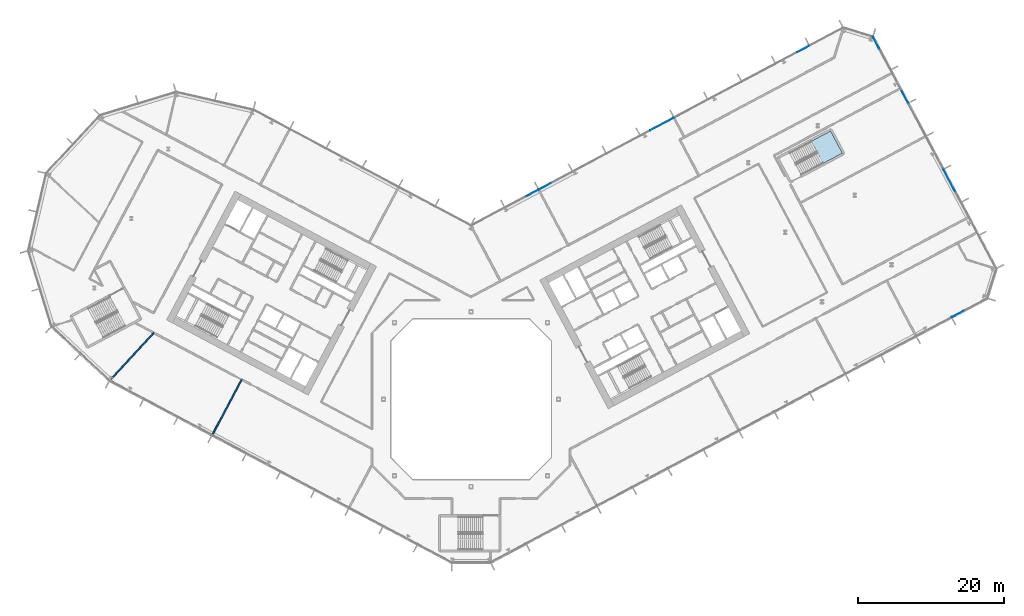
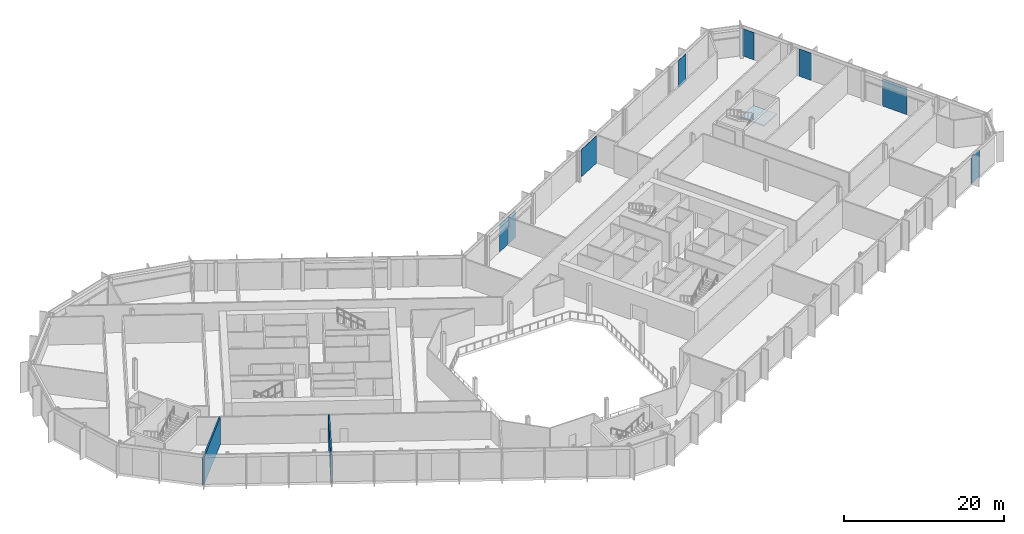
# One storey, part 12 of 32: 8 plates, 2 walls, 1 slab, 4 elements without a shape of their own.
"""IFC4 building model written with IfcOpenShell, lengths in metres."""

import ifcopenshell
import ifcopenshell.guid

model = None  # the IFC model being written
_history = None  # IfcOwnerHistory: only IFC2X3 demands one
_inside = {}  # id of a spatial element -> (the spatial element, [elements in it])
_under = {}  # id of a project, library or spatial element -> (it, [spatial elements below it])
_declared = {}  # id of a project -> (the project, [libraries it declares])
_typed = {}  # id of a type object -> (the type object, [elements of that type])
_made_of = {}  # id of a material, layer set ... -> (it, [elements and type objects made of it])


def new_model(schema):
    """Start an empty IFC model of exactly this schema.

    Asked for "IFC4X3", IfcOpenShell would pick the latest addendum, in which some entities
    have other attributes; the version numbers below select the first issue.
    IFC2X3 requires an IfcOwnerHistory on every rooted entity: one is made here for all.
    """
    global model, _history
    if schema == "IFC4X3":
        model = ifcopenshell.file(schema_version=(4, 3, 0, 0))
    else:
        model = ifcopenshell.file(schema=schema)
    _inside.clear()
    _under.clear()
    _declared.clear()
    _typed.clear()
    _made_of.clear()
    _history = None
    if model.schema == "IFC2X3":
        org = make("IfcOrganization", Name="unknown")
        user = make(
            "IfcPersonAndOrganization",
            ThePerson=make("IfcPerson", FamilyName="unknown"),
            TheOrganization=org,
        )
        app = make(
            "IfcApplication",
            ApplicationDeveloper=org,
            Version="unknown",
            ApplicationFullName="unknown",
            ApplicationIdentifier="unknown",
        )
        _history = make(
            "IfcOwnerHistory",
            OwningUser=user,
            OwningApplication=app,
            ChangeAction="ADDED",
            CreationDate=0,
        )
    return model


def make(cls, **values):
    """One entity of the class cls with the attributes given. An attribute that is None is left unset."""
    return model.create_entity(
        cls, **{name: value for name, value in values.items() if value is not None}
    )


def rooted(cls, **values):
    """An entity with a GlobalId (a new one), such as an element, a storey or a relation."""
    return make(cls, GlobalId=ifcopenshell.guid.new(), OwnerHistory=_history, **values)


def si_unit(unit_type, name, prefix=None):
    """IfcSIUnit, for example si_unit("LENGTHUNIT", "METRE", prefix="MILLI")."""
    return make("IfcSIUnit", UnitType=unit_type, Prefix=prefix, Name=name)


def assignment(units):
    """IfcUnitAssignment: the units of a project."""
    return None if units is None else make("IfcUnitAssignment", Units=units)


def point(xyz):
    """IfcCartesianPoint."""
    return None if xyz is None else make("IfcCartesianPoint", Coordinates=xyz)


def direction(xyz):
    """IfcDirection."""
    return None if xyz is None else make("IfcDirection", DirectionRatios=xyz)


def frame(location, z_axis=None, x_axis=None):
    """IfcAxis2Placement3D, a coordinate frame: its origin and axes. An axis left out is left unset."""
    return make(
        "IfcAxis2Placement3D",
        Location=point(location),
        Axis=direction(z_axis),
        RefDirection=direction(x_axis),
    )


def frame_2d(location, x_axis=None):
    """IfcAxis2Placement2D, a coordinate frame in the plane: its origin and x axis."""
    return make(
        "IfcAxis2Placement2D", Location=point(location), RefDirection=direction(x_axis)
    )


def origin():
    """The frame at (0, 0, 0) with its axes left unset."""
    return frame((0.0, 0.0, 0.0))


def origin_2d():
    """The frame at (0, 0) in the plane with its x axis left unset."""
    return frame_2d((0.0, 0.0))


def place(relative_to, where):
    """IfcLocalPlacement: puts the frame where relative to a parent placement (None: the world)."""
    return make(
        "IfcLocalPlacement", PlacementRelTo=relative_to, RelativePlacement=where
    )


def context(
    kind, dimensions, precision=None, world=None, true_north=None, identifier=None
):
    """IfcGeometricRepresentationContext, for example the 3D "Model" context."""
    return make(
        "IfcGeometricRepresentationContext",
        ContextIdentifier=identifier,
        ContextType=kind,
        CoordinateSpaceDimension=dimensions,
        Precision=precision,
        WorldCoordinateSystem=world,
        TrueNorth=true_north,
    )


def subcontext(parent, identifier, kind, view, scale=None):
    """IfcGeometricRepresentationSubContext, for example "Body" below "Model"."""
    return make(
        "IfcGeometricRepresentationSubContext",
        ContextIdentifier=identifier,
        ContextType=kind,
        ParentContext=parent,
        TargetScale=scale,
        TargetView=view,
    )


def project(units=None, contexts=None):
    """IfcProject with its units and contexts."""
    return rooted(
        "IfcProject",
        Name="project",
        RepresentationContexts=contexts,
        UnitsInContext=assignment(units),
    )


def spatial(cls, under=None, at=None, **own):
    """A site, building, storey or space (cls), placed at a placement, below another one or the project."""
    s = rooted(cls, ObjectPlacement=at, **own)
    if under is not None:
        _under.setdefault(under.id(), (under, []))[1].append(s)
    return s


def polyline(points):
    """IfcPolyline through the points."""
    return make("IfcPolyline", Points=[point(p) for p in points])


def profile(cls, at=None, kind="AREA", **sizes):
    """A parametric profile (cls). Its sizes go by their IFC names, for example OverallWidth=200.0."""
    return make(cls, ProfileType=kind, Position=at, **sizes)


def rectangle(**sizes):
    """IfcRectangleProfileDef."""
    return profile("IfcRectangleProfileDef", **sizes)


def outline(outer, holes=None, kind="AREA"):
    """IfcArbitraryClosedProfileDef: a profile drawn as a closed curve; with holes, ...WithVoids."""
    if holes is None:
        return make("IfcArbitraryClosedProfileDef", ProfileType=kind, OuterCurve=outer)
    return make(
        "IfcArbitraryProfileDefWithVoids",
        ProfileType=kind,
        OuterCurve=outer,
        InnerCurves=holes,
    )


def extrude(swept, where, along, depth):
    """IfcExtrudedAreaSolid: the profile swept, set in the frame where, extruded along a direction by depth."""
    return make(
        "IfcExtrudedAreaSolid",
        SweptArea=swept,
        Position=where,
        ExtrudedDirection=direction(along),
        Depth=depth,
    )


def shape(context_of_items, identifier, shape_type, items):
    """IfcShapeRepresentation: the items that make up one representation, for example the "Body"."""
    return make(
        "IfcShapeRepresentation",
        ContextOfItems=context_of_items,
        RepresentationIdentifier=identifier,
        RepresentationType=shape_type,
        Items=items,
    )


def material(Name=None, Category=None):
    """IfcMaterial."""
    return make("IfcMaterial", Name=Name, Category=Category)


def layer(
    of_material, thickness, ventilated=None, Name=None, Category=None, Priority=None
):
    """IfcMaterialLayer: one layer of a wall or slab, of a material (None: an air gap)."""
    return make(
        "IfcMaterialLayer",
        Material=of_material,
        LayerThickness=thickness,
        IsVentilated=ventilated,
        Name=Name,
        Category=Category,
        Priority=Priority,
    )


def layer_set(layers, Name=None):
    """IfcMaterialLayerSet."""
    return make("IfcMaterialLayerSet", MaterialLayers=layers, LayerSetName=Name)


def made_of(thing, what):
    """Note that an element or type object is made of a material, layer set ...; save() writes the relation."""
    if what is not None:
        _made_of.setdefault(what.id(), (what, []))[1].append(thing)
    return thing


def type_object(cls, material=None, **own):
    """A type object (cls), such as IfcWallType, which elements share."""
    return made_of(rooted(cls, **own), material)


def element(
    cls,
    number,
    at=None,
    inside=None,
    cuts=None,
    type_object=None,
    material=None,
    context=None,
    identifier="Body",
    shape_type=None,
    held_by="IfcProductDefinitionShape",
    body=None,
    shapes=None,
    **own,
):
    """One element of the class cls, such as IfcWall. Its Tag is "e" and its number.

    at: its placement. inside: the storey or other place that contains it. cuts: it is an
    opening in that element (IfcRelVoidsElement). A single representation is given by context,
    identifier, shape_type and body (its items); several are given by shapes. held_by: the class
    of the entity that holds the representations. save() writes the other relations.
    """
    e = rooted(cls, Tag="e%d" % number, ObjectPlacement=at, **own)
    if body is not None:
        shapes = [shape(context, identifier, shape_type, body)]
    if shapes is not None:
        e.Representation = make(held_by, Representations=shapes)
    if inside is not None:
        _inside.setdefault(inside.id(), (inside, []))[1].append(e)
    if cuts is not None:
        rooted(
            "IfcRelVoidsElement", RelatingBuildingElement=cuts, RelatedOpeningElement=e
        )
    if type_object is not None:
        _typed.setdefault(type_object.id(), (type_object, []))[1].append(e)
    return made_of(e, material)


def aggregate(whole, parts):
    """IfcRelAggregates: a whole, such as a stair, and the parts it consists of."""
    return rooted("IfcRelAggregates", RelatingObject=whole, RelatedObjects=parts)


def save(model, path):
    """Write the relations noted so far, then the file.

    IfcRelAggregates (storeys below a building ...), IfcRelContainedInSpatialStructure (elements
    in a storey), IfcRelDefinesByType, IfcRelAssociatesMaterial and IfcRelDeclares: one each for
    every whole, place, type object, material and project.
    """
    for whole, parts in _under.values():
        aggregate(whole, parts)
    for where, things in _inside.values():
        rooted(
            "IfcRelContainedInSpatialStructure",
            RelatedElements=things,
            RelatingStructure=where,
        )
    for kind, things in _typed.values():
        rooted("IfcRelDefinesByType", RelatedObjects=things, RelatingType=kind)
    for what, things in _made_of.values():
        rooted("IfcRelAssociatesMaterial", RelatedObjects=things, RelatingMaterial=what)
    for by, libraries in _declared.values():
        rooted("IfcRelDeclares", RelatingContext=by, RelatedDefinitions=libraries)
    model.write(path)


model = new_model("IFC4")

# Units and contexts
model_context = context("Model", 3, precision=1e-05, world=origin(), true_north=direction((0.0, 1.0)))
body_context = subcontext(model_context, "Body", "Model", "MODEL_VIEW")
ifc_project = project(units=[si_unit("LENGTHUNIT", "METRE"), si_unit("AREAUNIT", "SQUARE_METRE"), si_unit("VOLUMEUNIT", "CUBIC_METRE"), si_unit("PLANEANGLEUNIT", "RADIAN"), si_unit("MASSUNIT", "GRAM", prefix="KILO")], contexts=[model_context])

# Site, building, storey
site_placement = place(None, origin())
site = spatial("IfcSite", under=ifc_project, at=site_placement, CompositionType="ELEMENT")
building_placement = place(site_placement, origin())
building = spatial("IfcBuilding", under=site, at=building_placement, Name="Cormorant Relay Tower", CompositionType="ELEMENT")
storey_placement = place(building_placement, frame((0.0, 0.0, 70.800048828125)))
storey = spatial("IfcBuildingStorey", under=building, at=storey_placement, Name="L13", CompositionType="ELEMENT", Elevation=70.800048828125)

# Curtain wall, plate
ifc_material_1 = material(Name="Aluminium 6063-T6 anodised bronze", Category="aluminium")
ifc_layer_1 = layer(ifc_material_1, 0.199951171875)
ifc_layer_set_1 = layer_set([ifc_layer_1], Name="CW1 unitised bronze curtain wall with vertical fins")
curtain_wall_type = type_object("IfcCurtainWallType", Name="CW1 unitised bronze curtain wall with vertical fins", PredefinedType="NOTDEFINED", material=ifc_layer_set_1)
curtain_wall_1_placement = place(storey_placement, origin())
curtain_wall_1 = element("IfcCurtainWall", 1, at=curtain_wall_1_placement, inside=storey, type_object=curtain_wall_type, Name="CW1 curtain wall 2", PredefinedType="NOTDEFINED")
ifc_material_2 = material(Name="Tinted laminated glass", Category="glass")
ifc_layer_2 = layer(ifc_material_2, 0.0400390625)
ifc_layer_set_2 = layer_set([ifc_layer_2], Name="CW1 tinted vision panel 1800 module")
plate_type_1 = type_object("IfcPlateType", Name="CW1 tinted vision panel 1800 module", PredefinedType="CURTAIN_PANEL", material=ifc_layer_set_2)
plate_1_placement = place(storey_placement, frame((66.785888671875, 11.7041015625, 0.0), z_axis=(0.0, 0.0, 1.0), x_axis=(0.882947592859, 0.469471562786, 0.0)))
plate_1 = element("IfcPlate", 2, at=plate_1_placement, type_object=plate_type_1, Name="CW1 panel V14", PredefinedType="CURTAIN_PANEL", context=body_context, shape_type="SweptSolid", body=[
    extrude(rectangle(XDim=1.800048828125, YDim=0.0400390625, at=origin_2d()), origin(), (0.0, 0.0, 1.0), 4.14990234375),
])
aggregate(curtain_wall_1, [plate_1])

# Curtain wall, plates
curtain_wall_2_placement = place(storey_placement, origin())
curtain_wall_2 = element("IfcCurtainWall", 3, at=curtain_wall_2_placement, inside=storey, type_object=curtain_wall_type, Name="CW1 curtain wall 4", PredefinedType="NOTDEFINED")
plate_2_placement = place(storey_placement, frame((59.510498046875, 41.4833984375, 0.0), z_axis=(0.0, 0.0, 1.0), x_axis=(-0.469471562786, 0.882947592859, 0.0)))
plate_2 = element("IfcPlate", 4, at=plate_2_placement, type_object=plate_type_1, Name="CW1 panel V04", PredefinedType="CURTAIN_PANEL", context=body_context, shape_type="SweptSolid", body=[
    extrude(rectangle(XDim=1.800048828125, YDim=0.0400390625, at=origin_2d()), origin(), (0.0, 0.0, 1.0), 4.14990234375),
])
plate_3_placement = place(storey_placement, frame((55.56201171875, 48.90966796875, 0.0), z_axis=(0.0, 0.0, 1.0), x_axis=(-0.469471562786, 0.882947592859, 0.0)))
plate_3 = element("IfcPlate", 5, at=plate_3_placement, type_object=plate_type_1, Name="CW1 panel V06", PredefinedType="CURTAIN_PANEL", context=body_context, shape_type="SweptSolid", body=[
    extrude(rectangle(XDim=1.800048828125, YDim=0.0400390625, at=origin_2d()), origin(), (0.0, 0.0, 1.0), 4.14990234375),
])

curtain_wall_3_placement = place(storey_placement, origin())
curtain_wall_3 = element("IfcCurtainWall", 6, at=curtain_wall_3_placement, inside=storey, type_object=curtain_wall_type, Name="CW1 curtain wall 6", PredefinedType="NOTDEFINED")
plate_4_placement = place(storey_placement, frame((45.552001953125, 48.027099609375, 0.0), z_axis=(0.0, 0.0, 1.0), x_axis=(-0.882947592859, -0.469471562786, 0.0)))
plate_4 = element("IfcPlate", 7, at=plate_4_placement, type_object=plate_type_1, Name="CW1 panel V01", PredefinedType="CURTAIN_PANEL", context=body_context, shape_type="SweptSolid", body=[
    extrude(rectangle(XDim=1.800048828125, YDim=0.0400390625, at=origin_2d()), origin(), (0.0, 0.0, 1.0), 4.14990234375),
])
plate_5_placement = place(storey_placement, frame((10.135986328125, 29.196044921875, 0.0), z_axis=(0.0, 0.0, 1.0), x_axis=(-0.882947592859, -0.469471562786, 0.0)))
plate_5 = element("IfcPlate", 8, at=plate_5_placement, type_object=plate_type_1, Name="CW1 panel V07", PredefinedType="CURTAIN_PANEL", context=body_context, shape_type="SweptSolid", body=[
    extrude(rectangle(XDim=1.800048828125, YDim=0.0400390625, at=origin_2d()), origin(), (0.0, 0.0, 1.0), 4.14990234375),
])
plate_6_placement = place(storey_placement, frame((8.414306640625, 28.280517578125, 0.0), z_axis=(0.0, 0.0, 1.0), x_axis=(-0.882947592859, -0.469471562786, 0.0)))
plate_6 = element("IfcPlate", 9, at=plate_6_placement, type_object=plate_type_1, Name="CW1 panel V08", PredefinedType="CURTAIN_PANEL", context=body_context, shape_type="SweptSolid", body=[
    extrude(rectangle(XDim=1.800048828125, YDim=0.0400390625, at=origin_2d()), origin(), (0.0, 0.0, 1.0), 4.14990234375),
])

# Plate
ifc_material_3 = material(Name="Tinted laminated glass", Category="glass")
ifc_layer_3 = layer(ifc_material_3, 0.0400390625)
ifc_layer_set_3 = layer_set([ifc_layer_3], Name="CW1 tinted vision panel 3600 module")
plate_type_2 = type_object("IfcPlateType", Name="CW1 tinted vision panel 3600 module", PredefinedType="CURTAIN_PANEL", material=ifc_layer_set_3)
plate_7_placement = place(storey_placement, frame((65.677490234375, 29.885498046875, 0.0), z_axis=(0.0, 0.0, 1.0), x_axis=(-0.469471562786, 0.882947592859, 0.0)))
plate_7 = element("IfcPlate", 10, at=plate_7_placement, type_object=plate_type_2, Name="CW1 panel V02", PredefinedType="CURTAIN_PANEL", context=body_context, shape_type="SweptSolid", body=[
    extrude(rectangle(XDim=3.60009765625, YDim=0.0400390625, at=origin_2d()), origin(), (0.0, 0.0, 1.0), 4.14990234375),
])

aggregate(curtain_wall_2, [plate_7, plate_2, plate_3])

plate_8_placement = place(storey_placement, frame((26.1884765625, 37.731201171875, 0.0), z_axis=(0.0, 0.0, 1.0), x_axis=(-0.882947592859, -0.469471562786, 0.0)))
plate_8 = element("IfcPlate", 11, at=plate_8_placement, type_object=plate_type_2, Name="CW1 panel V04", PredefinedType="CURTAIN_PANEL", context=body_context, shape_type="SweptSolid", body=[
    extrude(rectangle(XDim=3.60009765625, YDim=0.0400390625, at=origin_2d()), origin(), (0.0, 0.0, 1.0), 4.14990234375),
])

aggregate(curtain_wall_3, [plate_4, plate_8, plate_5, plate_6])

# Stair, slab
ifc_material_4 = material(Name="Concrete 40 MPa", Category="concrete")
stair_type = type_object("IfcStairType", Name="Exit stair 1500", PredefinedType="HALF_TURN_STAIR", material=ifc_material_4)
stair_placement = place(storey_placement, origin())
stair = element("IfcStair", 12, at=stair_placement, inside=storey, type_object=stair_type, Name="L13 Stair", PredefinedType="HALF_TURN_STAIR")
ifc_material_5 = material(Name="Concrete 40 MPa", Category="concrete")
ifc_layer_4 = layer(ifc_material_5, 0.199951171875)
ifc_layer_set_4 = layer_set([ifc_layer_4], Name="Exit stair landing 200")
slab_type = type_object("IfcSlabType", Name="Exit stair landing 200", PredefinedType="LANDING", material=ifc_layer_set_4)
slab_placement = place(storey_placement, frame((0.0, 0.0, 2.099853515625)))
slab = element("IfcSlab", 13, at=slab_placement, type_object=slab_type, Name="RB1 landing 1", PredefinedType="LANDING", context=body_context, shape_type="SweptSolid", body=[
    extrude(outline(polyline([(48.301513671875, 32.35107421875), (50.941650390625, 33.7548828125), (49.322021484375, 36.801025390625), (46.681884765625, 35.397216796875), (48.301513671875, 32.35107421875)])), origin(), (0.0, 0.0, 1.0), 0.2001953125),
])
aggregate(stair, [slab])

# Walls
ifc_material_6 = material(Name="Fire-rated gypsum board partition")
ifc_layer_5 = layer(ifc_material_6, 0.199951171875)
ifc_layer_set_5 = layer_set([ifc_layer_5], Name="Fire-rated gypsum partition 200")
wall_type = type_object("IfcWallType", Name="Fire-rated gypsum partition 200", PredefinedType="PARTITIONING", material=ifc_layer_set_5)
wall_1_placement = place(storey_placement, frame((-43.51904296875, 9.095947265625, 0.0), z_axis=(0.0, 0.0, 1.0), x_axis=(-0.682037499791, -0.731317201273, 0.0)))
element("IfcWall", 14, at=wall_1_placement, inside=storey, type_object=wall_type, Name="wall/L13/part/6", PredefinedType="PARTITIONING", context=body_context, shape_type="SweptSolid", body=[
    extrude(rectangle(XDim=9.11083984375, YDim=0.199951171875, at=frame_2d((4.555419921875, 0.0))), origin(), (0.0, 0.0, 1.0), 4.199951171875),
])
wall_2_placement = place(storey_placement, frame((-31.470947265625, 2.68994140625, 0.0), z_axis=(0.0, 0.0, 1.0), x_axis=(-0.469532456729, -0.882915212281, 0.0)))
element("IfcWall", 15, at=wall_2_placement, inside=storey, type_object=wall_type, Name="wall/L13/part/7", PredefinedType="PARTITIONING", context=body_context, shape_type="SweptSolid", body=[
    extrude(rectangle(XDim=8.80029296875, YDim=0.199951171875, at=frame_2d((4.400146484375, 0.0))), origin(), (0.0, 0.0, 1.0), 4.199951171875),
])

save(model, "model.ifc")
